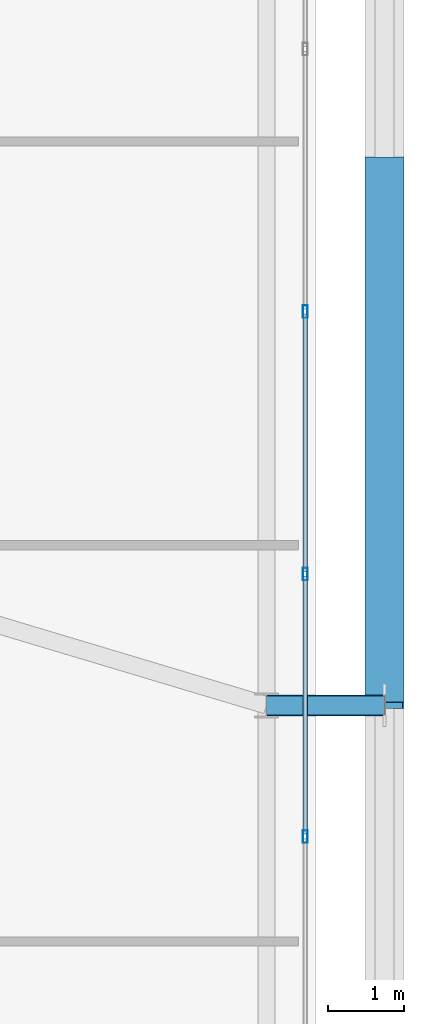
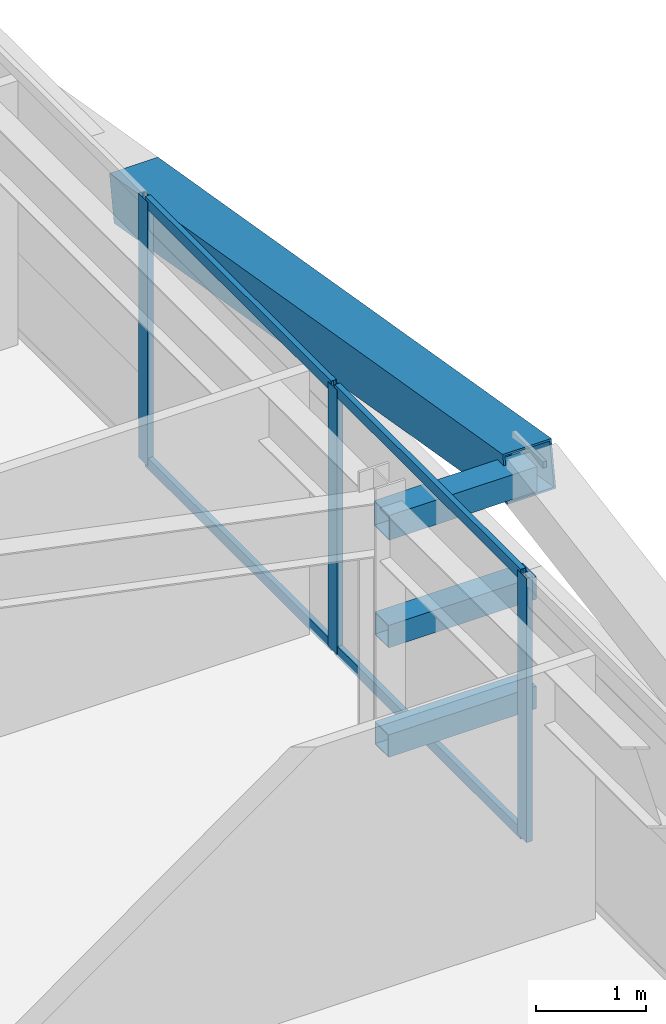
# One storey, part 30 of 58: 11 members, 1 element without a shape of its own.
"""IFC4 building model written with IfcOpenShell, lengths in metres."""

from ifc_helpers import new_model, si_unit, direction, frame, origin, origin_2d, place, context, subcontext, project, spatial, hollow_rectangle, extrude, source, transform, mapped, material, layer, layer_set, material_profile, profile_set, type_object, element, aggregate, save


model = new_model("IFC4")

# Units and contexts
model_context = context("Model", 3, precision=1e-05, world=origin(), true_north=direction((0.0, 1.0)))
body_context = subcontext(model_context, "Body", "Model", "MODEL_VIEW")
ifc_project = project(units=[si_unit("LENGTHUNIT", "METRE"), si_unit("AREAUNIT", "SQUARE_METRE"), si_unit("VOLUMEUNIT", "CUBIC_METRE"), si_unit("PLANEANGLEUNIT", "RADIAN"), si_unit("MASSUNIT", "GRAM", prefix="KILO")], contexts=[model_context])

# Site, building, storey
site_placement = place(None, origin())
site = spatial("IfcSite", under=ifc_project, at=site_placement, CompositionType="ELEMENT")
building_placement = place(site_placement, origin())
building = spatial("IfcBuilding", under=site, at=building_placement, Name="Taldren Reach Tower", CompositionType="ELEMENT")
storey_placement = place(building_placement, frame((0.0, 0.0, 54.60009765625)))
storey = spatial("IfcBuildingStorey", under=building, at=storey_placement, Name="L16", CompositionType="ELEMENT", Elevation=54.60009765625)

# Members
ifc_material_1 = material(Name="Steel Gr 450 (C450L0)", Category="steel")
ifc_material_profile_1 = material_profile(ifc_material_1, hollow_rectangle(XDim=0.27490234375, YDim=0.27490234375, WallThickness=0.00927734375, at=origin_2d()), Name="275x275x9.3SHS")
ifc_profile_set_1 = profile_set([ifc_material_profile_1], Name="Steel Gr 450 (C450L0)")
member_type_1 = type_object("IfcMemberType", Name="MB-TIE273", PredefinedType="STRUT", material=ifc_profile_set_1)
shared_shape_1 = source(origin(), body_context, "Body", "SweptSolid", [
    extrude(hollow_rectangle(XDim=0.27490234375, YDim=0.27490234375, WallThickness=0.00927734375, at=origin_2d()), origin(), (0.0, 0.0, 1.0), 1.5498046875),
])
member_1_placement = place(storey_placement, frame((64.35009765625, 20.0, 2.64990234375), z_axis=(1.0, 0.0, 0.0), x_axis=(0.0, 1.0, 0.0)))
element("IfcMember", 1, at=member_1_placement, inside=storey, type_object=member_type_1, Name="Exoskeleton diaphragm tie strut B1-E2 L16", PredefinedType="STRUT", context=body_context, shape_type="MappedRepresentation", body=[
    mapped(shared_shape_1, transform((0.0, 0.0, 0.0), scale=1.0)),
])
ifc_material_2 = material(Name="Steel Gr 350 (C350L0)", Category="steel")
ifc_material_profile_2 = material_profile(ifc_material_2, hollow_rectangle(XDim=0.25, YDim=0.25, WallThickness=0.010009765625, at=origin_2d()), Name="250x250x10.0SHS")
ifc_profile_set_2 = profile_set([ifc_material_profile_2], Name="Steel Gr 350 (C350L0)")
member_type_2 = type_object("IfcMemberType", Name="MB-POST250", PredefinedType="POST", material=ifc_profile_set_2)
shared_shape_2 = source(origin(), body_context, "Body", "SweptSolid", [
    extrude(hollow_rectangle(XDim=0.25, YDim=0.25, WallThickness=0.010009765625, at=origin_2d()), origin(), (0.0, 0.0, 1.0), 1.5498046875),
])
for number, where, z_axis, x_axis, name in (
    (2, (64.35009765625, 20.0, 0.219970703125), (1.0, 0.0, 0.0), (0.0, 1.0, 0.0), "Exoskeleton base diaphragm tie strut B1-E2 L16"),
    (3, (64.35009765625, 20.0, 1.434814453125), (1.0, 0.0, 0.0), (0.0, 1.0, 0.0), "Exoskeleton mid-tier diaphragm tie B1-E2 L16"),
):
    element("IfcMember", number, at=place(storey_placement, frame(where, z_axis=z_axis, x_axis=x_axis)), inside=storey, type_object=member_type_2, Name=name, PredefinedType="POST", context=body_context, shape_type="MappedRepresentation", body=[
        mapped(shared_shape_2, transform((0.0, 0.0, 0.0), scale=1.0)),
    ])
ifc_material_profile_3 = material_profile(ifc_material_1, hollow_rectangle(XDim=0.510009765625, YDim=0.510009765625, WallThickness=0.02001953125, at=origin_2d()), Name="510x510x20.0SHS")
ifc_profile_set_3 = profile_set([ifc_material_profile_3], Name="Steel Gr 450 (C450L0)")
member_type_3 = type_object("IfcMemberType", Name="MB-EXO508", PredefinedType="BRACE", material=ifc_profile_set_3)
shared_shape_3 = source(origin(), body_context, "Body", "SweptSolid", [
    extrude(hollow_rectangle(XDim=0.510009765625, YDim=0.510009765625, WallThickness=0.02001953125, at=origin_2d()), origin(), (0.0, 0.0, 1.0), 7.25244140625),
])
member_2_placement = place(storey_placement, frame((65.89990234375, 27.14990234375, 1.434814453125), z_axis=(0.0, -0.985864855729, 0.167542490848), x_axis=(1.0, 0.0, 0.0)))
element("IfcMember", 4, at=member_2_placement, inside=storey, type_object=member_type_3, Name="Exoskeleton Diagrid Brace B1-E2 L16", PredefinedType="BRACE", context=body_context, shape_type="MappedRepresentation", body=[
    mapped(shared_shape_3, transform((0.0, 0.0, 0.0), scale=1.0)),
])

# Curtain wall, members
ifc_material_3 = material(Name="Aluminium and Low-E Glass Unitised System", Category="aluminium")
ifc_layer = layer(ifc_material_3, 0.159912109375)
ifc_layer_set = layer_set([ifc_layer], Name="Aluminium and Low-E Glass Unitised System")
curtain_wall_type = type_object("IfcCurtainWallType", Name="CW-SYS-2", PredefinedType="NOTDEFINED", material=ifc_layer_set)
curtain_wall_placement = place(storey_placement, origin())
curtain_wall = element("IfcCurtainWall", 5, at=curtain_wall_placement, inside=storey, type_object=curtain_wall_type, Name="Unitised curtain wall CW-L16-E", PredefinedType="NOTDEFINED")
ifc_material_4 = material(Name="Anodised Aluminium 6063-T6", Category="aluminium")
ifc_material_profile_4 = material_profile(ifc_material_4, hollow_rectangle(XDim=0.06494140625, YDim=0.1650390625, WallThickness=0.00390625, at=origin_2d()), Name="ALU-165x65x4RHS")
ifc_profile_set_4 = profile_set([ifc_material_profile_4], Name="Anodised Aluminium 6063-T6")
member_type_4 = type_object("IfcMemberType", Name="CW-MUL-165", PredefinedType="MULLION", material=ifc_profile_set_4)
shared_shape_4 = source(origin(), body_context, "Body", "SweptSolid", [
    extrude(hollow_rectangle(XDim=0.06494140625, YDim=0.1650390625, WallThickness=0.00390625, at=origin_2d()), origin(), (0.0, 0.0, 1.0), 2.929931640625),
])
member_3_placement = place(storey_placement, frame((64.860107421875, 18.27783203125, 0.0), z_axis=(0.0, 0.0, 1.0), x_axis=(-1.0, 0.0, 0.0)))
member_3 = element("IfcMember", 6, at=member_3_placement, type_object=member_type_4, Name="CW-2 mullion 5", PredefinedType="MULLION", context=body_context, shape_type="MappedRepresentation", body=[
    mapped(shared_shape_4, transform((0.0, 0.0, 0.0), scale=1.0)),
])
member_4_placement = place(storey_placement, frame((64.860107421875, 21.72216796875, 0.0), z_axis=(0.0, 0.0, 1.0), x_axis=(-1.0, 0.0, 0.0)))
member_4 = element("IfcMember", 7, at=member_4_placement, type_object=member_type_4, Name="CW-2 mullion 6", PredefinedType="MULLION", context=body_context, shape_type="MappedRepresentation", body=[
    mapped(shared_shape_4, transform((0.0, 0.0, 0.0), scale=1.0)),
])
member_5_placement = place(storey_placement, frame((64.860107421875, 25.166748046875, 0.0), z_axis=(0.0, 0.0, 1.0), x_axis=(-1.0, 0.0, 0.0)))
member_5 = element("IfcMember", 8, at=member_5_placement, type_object=member_type_4, Name="CW-2 mullion 7", PredefinedType="MULLION", context=body_context, shape_type="MappedRepresentation", body=[
    mapped(shared_shape_4, transform((0.0, 0.0, 0.0), scale=1.0)),
])
ifc_material_profile_5 = material_profile(ifc_material_4, hollow_rectangle(XDim=0.054931640625, YDim=0.1201171875, WallThickness=0.0029296875, at=origin_2d()), Name="ALU-120x55x3RHS")
ifc_profile_set_5 = profile_set([ifc_material_profile_5], Name="Anodised Aluminium 6063-T6")
member_type_5 = type_object("IfcMemberType", Name="CW-TRN-135", PredefinedType="USERDEFINED", material=ifc_profile_set_5)
shared_shape_5 = source(origin(), body_context, "Body", "SweptSolid", [
    extrude(hollow_rectangle(XDim=0.054931640625, YDim=0.1201171875, WallThickness=0.0029296875, at=origin_2d()), origin(), (0.0, 0.0, 1.0), 3.37939453125),
])
member_6_placement = place(storey_placement, frame((64.860107421875, 18.310302734375, 0.02734375), z_axis=(0.0, 1.0, 0.0), x_axis=(-1.0, 0.0, 0.0)))
member_6 = element("IfcMember", 9, at=member_6_placement, type_object=member_type_5, Name="CW-2 transom 5.1", ObjectType="TRANSOM", PredefinedType="USERDEFINED", context=body_context, shape_type="MappedRepresentation", body=[
    mapped(shared_shape_5, transform((0.0, 0.0, 0.0), scale=1.0)),
])
member_7_placement = place(storey_placement, frame((64.860107421875, 18.310302734375, 2.90234375), z_axis=(0.0, 1.0, 0.0), x_axis=(-1.0, 0.0, 0.0)))
member_7 = element("IfcMember", 10, at=member_7_placement, type_object=member_type_5, Name="CW-2 transom 5.2", ObjectType="TRANSOM", PredefinedType="USERDEFINED", context=body_context, shape_type="MappedRepresentation", body=[
    mapped(shared_shape_5, transform((0.0, 0.0, 0.0), scale=1.0)),
])
shared_shape_6 = source(origin(), body_context, "Body", "SweptSolid", [
    extrude(hollow_rectangle(XDim=0.054931640625, YDim=0.1201171875, WallThickness=0.0029296875, at=origin_2d()), origin(), (0.0, 0.0, 1.0), 3.379638671875),
])
member_8_placement = place(storey_placement, frame((64.860107421875, 21.754638671875, 0.02734375), z_axis=(0.0, 1.0, 0.0), x_axis=(-1.0, 0.0, 0.0)))
member_8 = element("IfcMember", 11, at=member_8_placement, type_object=member_type_5, Name="CW-2 transom 6.1", ObjectType="TRANSOM", PredefinedType="USERDEFINED", context=body_context, shape_type="MappedRepresentation", body=[
    mapped(shared_shape_6, transform((0.0, 0.0, 0.0), scale=1.0)),
])
member_9_placement = place(storey_placement, frame((64.860107421875, 21.754638671875, 2.90234375), z_axis=(0.0, 1.0, 0.0), x_axis=(-1.0, 0.0, 0.0)))
member_9 = element("IfcMember", 12, at=member_9_placement, type_object=member_type_5, Name="CW-2 transom 6.2", ObjectType="TRANSOM", PredefinedType="USERDEFINED", context=body_context, shape_type="MappedRepresentation", body=[
    mapped(shared_shape_6, transform((0.0, 0.0, 0.0), scale=1.0)),
])
aggregate(curtain_wall, [member_3, member_4, member_5, member_6, member_7, member_8, member_9])

save(model, "model.ifc")
